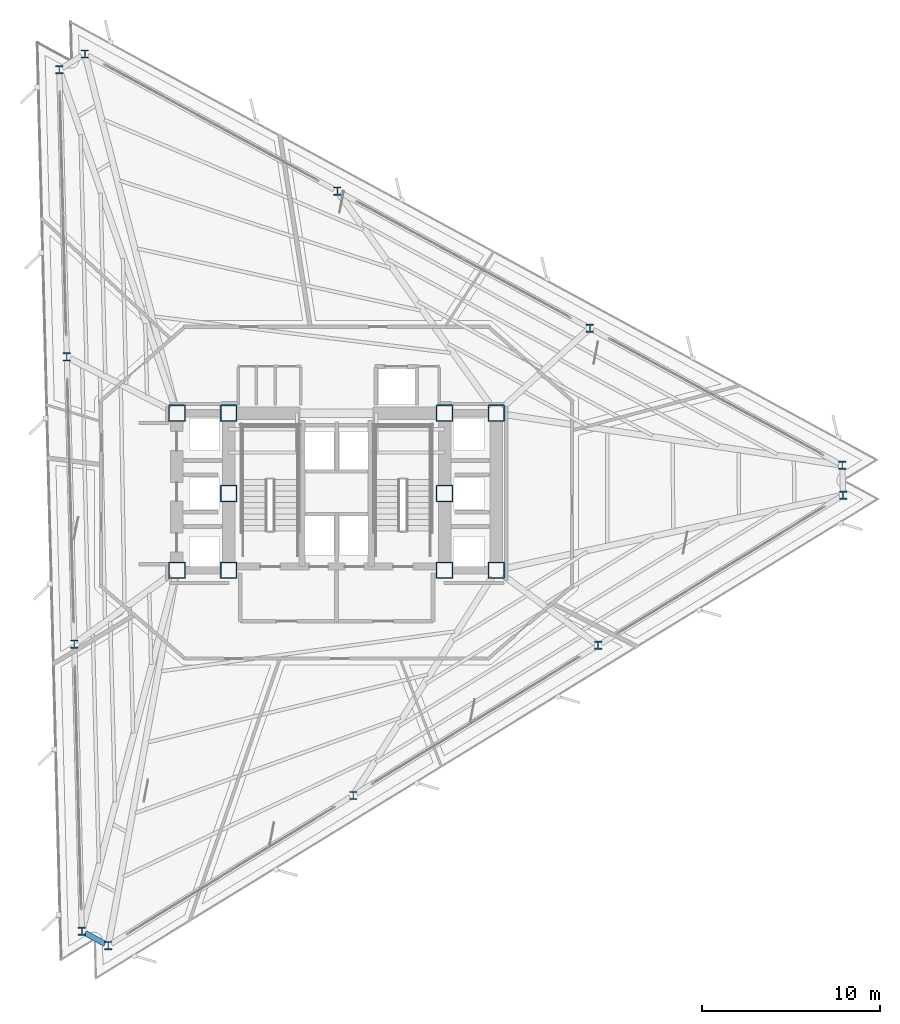
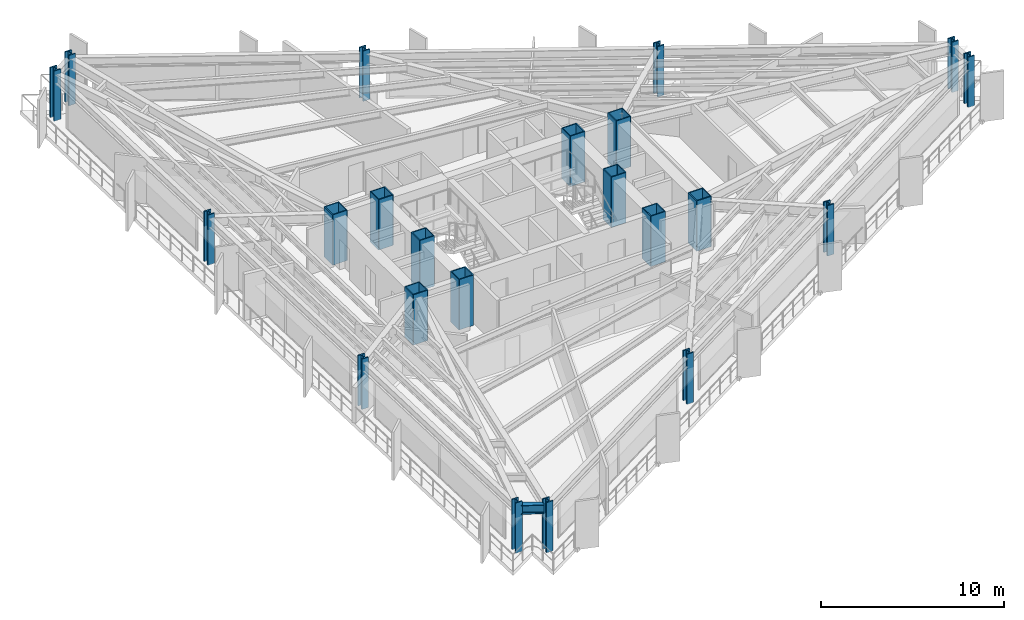
# One storey, part 1 of 14: 22 columns, 1 beam.
"""IFC4 building model written with IfcOpenShell, lengths in metres."""

from ifc_helpers import new_model, si_unit, direction, frame, origin, origin_2d, place, context, subcontext, project, spatial, hollow_rectangle, i_section, extrude, material, material_profile, profile_set, type_object, element, save


model = new_model("IFC4")

# Units and contexts
model_context = context("Model", 3, precision=1e-05, world=origin(), true_north=direction((0.0, 1.0)))
body_context = subcontext(model_context, "Body", "Model", "MODEL_VIEW")
ifc_project = project(units=[si_unit("LENGTHUNIT", "METRE"), si_unit("AREAUNIT", "SQUARE_METRE"), si_unit("VOLUMEUNIT", "CUBIC_METRE"), si_unit("PLANEANGLEUNIT", "RADIAN"), si_unit("MASSUNIT", "GRAM", prefix="KILO")], contexts=[model_context])

# Site, building, storey
site_placement = place(None, origin())
site = spatial("IfcSite", under=ifc_project, at=site_placement, CompositionType="ELEMENT")
building_placement = place(site_placement, origin())
building = spatial("IfcBuilding", under=site, at=building_placement, Name="Rocaltana Carrier Exchange", CompositionType="ELEMENT")
storey_placement = place(building_placement, frame((0.0, 0.0, 32.320068359375)))
storey = spatial("IfcBuildingStorey", under=building, at=storey_placement, Name="L10", CompositionType="ELEMENT", Elevation=32.320068359375)

# Columns
ifc_material_1 = material(Name="Steel S460", Category="steel")
ifc_material_profile_1 = material_profile(ifc_material_1, hollow_rectangle(XDim=0.949951171875, YDim=0.949951171875, WallThickness=0.06005859375, InnerFilletRadius=0.02001953125, OuterFilletRadius=0.0400390625, at=origin_2d()), Name="BOX950X950X60")
ifc_profile_set_1 = profile_set([ifc_material_profile_1], Name="Steel S460")
column_type_1 = type_object("IfcColumnType", Name="Core Mega-Column BOX950", PredefinedType="COLUMN", material=ifc_profile_set_1)
for number, where, z_axis, x_axis, name in (
    (1, (-6.050048828125, 4.5, 0.0), (0.0, 0.0, 1.0), (1.0, 0.0, 0.0), "L10 Core Mega-Column MC1"),
    (2, (6.050048828125, 4.5, 0.0), (0.0, 0.0, 1.0), (1.0, 0.0, 0.0), "L10 Core Mega-Column MC2"),
    (3, (-6.050048828125, 0.0, 0.0), (0.0, 0.0, 1.0), (1.0, 0.0, 0.0), "L10 Core Mega-Column MC3"),
    (4, (6.050048828125, 0.0, 0.0), (0.0, 0.0, 1.0), (1.0, 0.0, 0.0), "L10 Core Mega-Column MC4"),
    (5, (-6.050048828125, -4.300048828125, 0.0), (0.0, 0.0, 1.0), (1.0, 0.0, 0.0), "L10 Core Mega-Column MC5"),
    (6, (6.050048828125, -4.300048828125, 0.0), (0.0, 0.0, 1.0), (1.0, 0.0, 0.0), "L10 Core Mega-Column MC6"),
    (7, (-8.949951171875, 4.5, 0.0), (0.0, 0.0, 1.0), (1.0, 0.0, 0.0), "L10 West Core Column WC1"),
    (8, (-8.949951171875, -4.300048828125, 0.0), (0.0, 0.0, 1.0), (1.0, 0.0, 0.0), "L10 West Core Column WC2"),
    (9, (8.949951171875, 4.5, 0.0), (0.0, 0.0, 1.0), (1.0, 0.0, 0.0), "L10 East Core Column EC1"),
    (10, (8.949951171875, -4.300048828125, 0.0), (0.0, 0.0, 1.0), (1.0, 0.0, 0.0), "L10 East Core Column EC2"),
):
    element("IfcColumn", number, at=place(storey_placement, frame(where, z_axis=z_axis, x_axis=x_axis)), inside=storey, type_object=column_type_1, Name=name, PredefinedType="COLUMN", context=body_context, shape_type="SweptSolid", body=[
        extrude(hollow_rectangle(XDim=0.949951171875, YDim=0.949951171875, WallThickness=0.06005859375, InnerFilletRadius=0.02001953125, OuterFilletRadius=0.0400390625, at=origin_2d()), origin(), (0.0, 0.0, 1.0), 3.35986328125),
    ])
ifc_material_2 = material(Name="Steel S460", Category="steel")
ifc_material_profile_2 = material_profile(ifc_material_2, i_section(OverallWidth=0.424072265625, OverallDepth=0.47412109375, WebThickness=0.047607421875, FlangeThickness=0.0771484375, FilletRadius=0.02490234375, at=origin_2d()), Name="W14X426")
ifc_profile_set_2 = profile_set([ifc_material_profile_2], Name="Steel S460")
column_type_2 = type_object("IfcColumnType", Name="Perimeter Column W14X426", PredefinedType="COLUMN", material=ifc_profile_set_2)
for number, where, z_axis, x_axis, name in (
    (11, (28.340576171875, 1.5849609375, 0.0), (0.0, 0.0, 1.0), (1.0, 0.0, 0.0), "L10 Perimeter Column TC01"),
    (12, (14.191650390625, 9.26708984375, 0.0), (0.0, 0.0, 1.0), (1.0, 0.0, 0.0), "L10 Perimeter Column TC02"),
    (13, (0.042724609375, 16.949462890625, 0.0), (0.0, 0.0, 1.0), (1.0, 0.0, 0.0), "L10 Perimeter Column TC03"),
    (14, (-14.106201171875, 24.631591796875, 0.0), (0.0, 0.0, 1.0), (1.0, 0.0, 0.0), "L10 Perimeter Column TC04"),
    (15, (-15.54296875, 23.751220703125, 0.0), (0.0, 0.0, 1.0), (1.0, 0.0, 0.0), "L10 Perimeter Column TC05"),
    (16, (-15.121337890625, 7.65673828125, 0.0), (0.0, 0.0, 1.0), (1.0, 0.0, 0.0), "L10 Perimeter Column TC06"),
    (17, (-14.699951171875, -8.437744140625, 0.0), (0.0, 0.0, 1.0), (1.0, 0.0, 0.0), "L10 Perimeter Column TC07"),
    (18, (-14.278564453125, -24.5322265625, 0.0), (0.0, 0.0, 1.0), (1.0, 0.0, 0.0), "L10 Perimeter Column TC08"),
    (19, (-12.7978515625, -25.336181640625, 0.0), (0.0, 0.0, 1.0), (1.0, 0.0, 0.0), "L10 Perimeter Column TC09"),
    (20, (0.9296875, -16.923828125, 0.0), (0.0, 0.0, 1.0), (1.0, 0.0, 0.0), "L10 Perimeter Column TC10"),
    (21, (14.6572265625, -8.51171875, 0.0), (0.0, 0.0, 1.0), (1.0, 0.0, 0.0), "L10 Perimeter Column TC11"),
    (22, (28.384765625, -0.099609375, 0.0), (0.0, 0.0, 1.0), (1.0, 0.0, 0.0), "L10 Perimeter Column TC12"),
):
    element("IfcColumn", number, at=place(storey_placement, frame(where, z_axis=z_axis, x_axis=x_axis)), inside=storey, type_object=column_type_2, Name=name, PredefinedType="COLUMN", context=body_context, shape_type="SweptSolid", body=[
        extrude(i_section(OverallWidth=0.424072265625, OverallDepth=0.47412109375, WebThickness=0.047607421875, FlangeThickness=0.0771484375, FilletRadius=0.02490234375, at=origin_2d()), origin(), (0.0, 0.0, 1.0), 3.35986328125),
    ])

# Beam
ifc_material_3 = material(Name="Steel S355", Category="steel")
ifc_material_profile_3 = material_profile(ifc_material_3, i_section(OverallWidth=0.300048828125, OverallDepth=0.60009765625, WebThickness=0.015380859375, FlangeThickness=0.030029296875, FilletRadius=0.027099609375, at=origin_2d()), Name="HEB600")
ifc_profile_set_3 = profile_set([ifc_material_profile_3], Name="Steel S355")
beam_type = type_object("IfcBeamType", Name="Spandrel Edge Beam HEB600", PredefinedType="SPANDREL", material=ifc_profile_set_3)
beam_placement = place(storey_placement, frame((-14.09912109375, -24.62939453125, 2.7978515625), z_axis=(0.878690764039, -0.477391392038, 0.0), x_axis=(0.477391392038, 0.878690764039, 0.0)))
element("IfcBeam", 23, at=beam_placement, inside=storey, type_object=beam_type, Name="SP-L10-08", PredefinedType="SPANDREL", context=body_context, shape_type="SweptSolid", body=[
    extrude(i_section(OverallWidth=0.300048828125, OverallDepth=0.60009765625, WebThickness=0.015380859375, FlangeThickness=0.030029296875, FilletRadius=0.027099609375, at=origin_2d()), origin(), (0.0, 0.0, 1.0), 1.277099609375),
])

save(model, "model.ifc")
